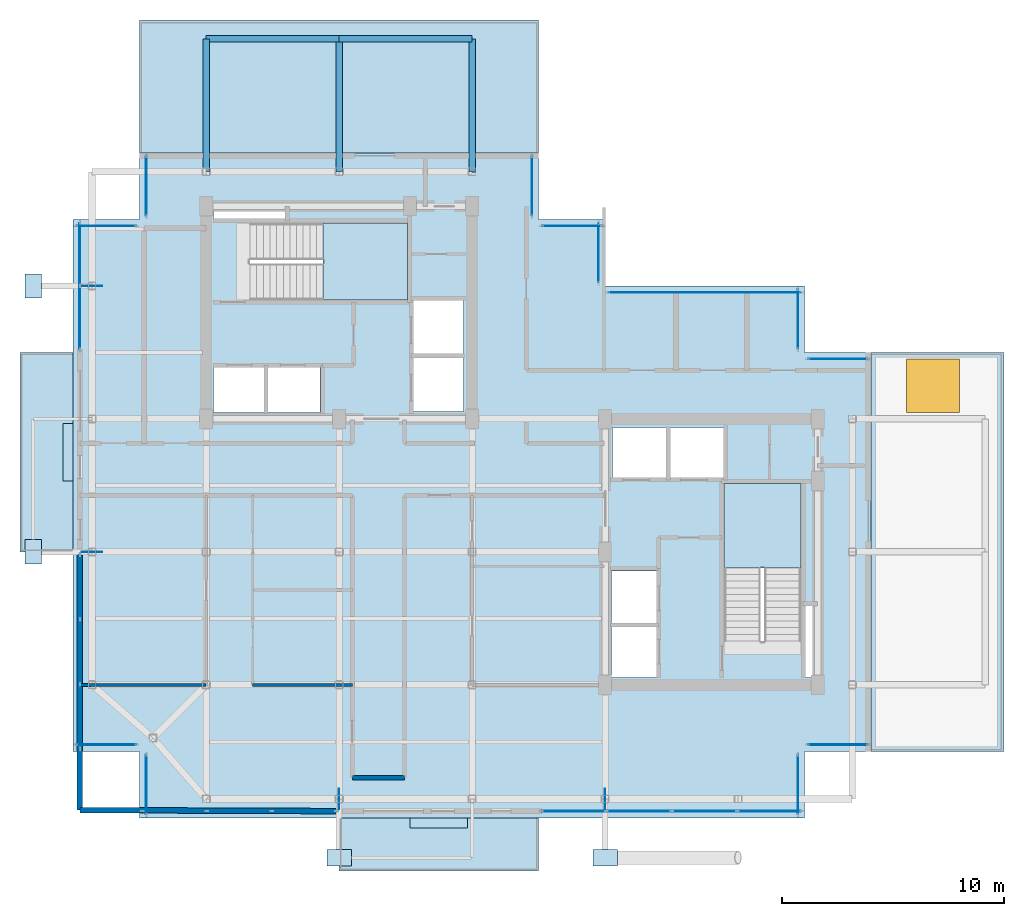
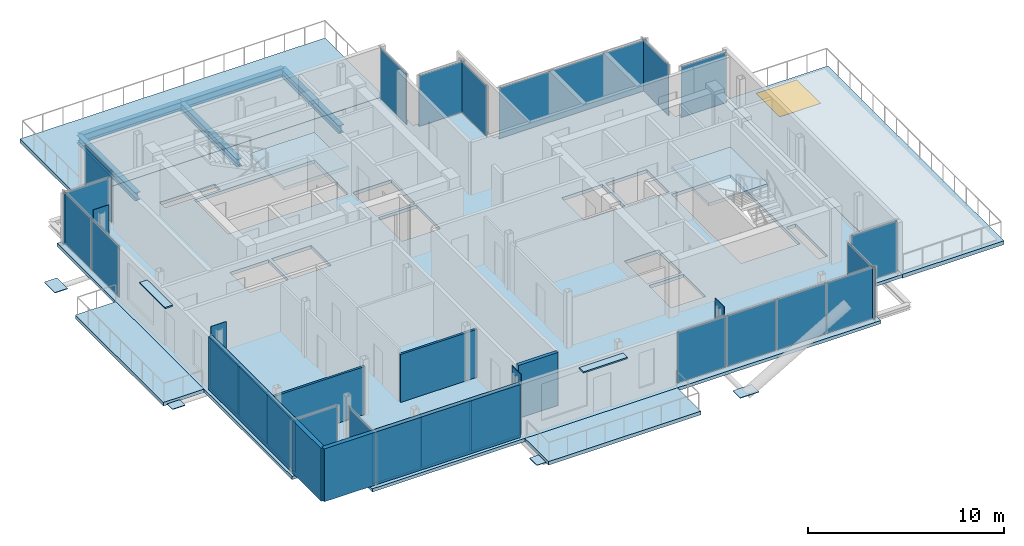
# One storey, part 13 of 19: 34 plates, 7 slabs, 5 beams, 5 walls, 1 window, 1 opening, 18 elements without a shape of their own.
"""IFC4 building model written with IfcOpenShell, lengths in metres."""

from ifc_helpers import new_model, si_unit, direction, frame, frame_2d, origin, origin_2d, place, context, subcontext, project, spatial, polyline, rectangle, i_section, outline, extrude, material, layer, layer_set, material_profile, profile_set, type_object, element, fill, aggregate, save


model = new_model("IFC4")

# Units and contexts
model_context = context("Model", 3, precision=1e-05, world=origin(), true_north=direction((0.0, 1.0)))
body_context = subcontext(model_context, "Body", "Model", "MODEL_VIEW")
ifc_project = project(units=[si_unit("LENGTHUNIT", "METRE"), si_unit("AREAUNIT", "SQUARE_METRE"), si_unit("VOLUMEUNIT", "CUBIC_METRE"), si_unit("PLANEANGLEUNIT", "RADIAN"), si_unit("MASSUNIT", "GRAM", prefix="KILO"), si_unit("THERMODYNAMICTEMPERATUREUNIT", "KELVIN"), si_unit("POWERUNIT", "WATT")], contexts=[model_context])

# Site, building, storey
site_placement = place(None, origin())
site = spatial("IfcSite", under=ifc_project, at=site_placement, CompositionType="ELEMENT")
building_placement = place(site_placement, origin())
building = spatial("IfcBuilding", under=site, at=building_placement, Name="Svarakhadi Broadcast Tower", CompositionType="ELEMENT")
storey_placement = place(building_placement, frame((0.0, 0.0, 239.699951171875)))
storey = spatial("IfcBuildingStorey", under=building, at=storey_placement, Name="L59", CompositionType="ELEMENT", Elevation=239.699951171875)

# Beams
ifc_material_1 = material(Name="Steel S355J2 (IS 2062 E350C)", Category="steel")
ifc_material_profile = material_profile(ifc_material_1, i_section(OverallWidth=0.300048828125, OverallDepth=0.5, WebThickness=0.014404296875, FlangeThickness=0.028076171875, FilletRadius=0.027099609375, at=origin_2d()), Name="WPB 500x300x187")
ifc_profile_set = profile_set([ifc_material_profile], Name="Steel S355J2 (IS 2062 E350C)")
beam_type = type_object("IfcBeamType", Name="Girder_WPB500", PredefinedType="USERDEFINED", material=ifc_profile_set)
for number, where, z_axis, x_axis, name in (
    (1, (6.0, 29.14990234375, -0.489990234375), (0.0, 1.0, 0.0), (-1.0, 0.0, 0.0), "L59 North Setback Terrace Bearer Girder"),
    (2, (12.0, 29.14990234375, -0.489990234375), (0.0, 1.0, 0.0), (-1.0, 0.0, 0.0), "L59 North Setback Terrace Bearer Girder"),
    (3, (18.0, 29.14990234375, -0.489990234375), (0.0, 1.0, 0.0), (-1.0, 0.0, 0.0), "L59 North Setback Terrace Bearer Girder"),
    (4, (6.0, 35.14990234375, -0.489990234375), (1.0, 0.0, 0.0), (0.0, 1.0, 0.0), "L59 North Setback Terrace Rim Girder 1"),
    (5, (12.0, 35.14990234375, -0.489990234375), (1.0, 0.0, 0.0), (0.0, 1.0, 0.0), "L59 North Setback Terrace Rim Girder 2"),
):
    element("IfcBeam", number, at=place(storey_placement, frame(where, z_axis=z_axis, x_axis=x_axis)), inside=storey, type_object=beam_type, Name=name, ObjectType="GIRDER", PredefinedType="USERDEFINED", context=body_context, shape_type="SweptSolid", body=[
        extrude(i_section(OverallWidth=0.300048828125, OverallDepth=0.5, WebThickness=0.014404296875, FlangeThickness=0.028076171875, FilletRadius=0.027099609375, at=origin_2d()), origin(), (0.0, 0.0, 1.0), 6.0),
    ])

# Curtain wall, plate
ifc_material_2 = material(Name="Anodised Bronze Aluminium AA 6063-T6", Category="aluminium")
ifc_layer_1 = layer(ifc_material_2, 0.179931640625)
ifc_layer_set_1 = layer_set([ifc_layer_1], Name="Anodised Bronze Aluminium AA 6063-T6")
curtain_wall_type = type_object("IfcCurtainWallType", Name="CW_Sys_05", PredefinedType="NOTDEFINED", material=ifc_layer_set_1)
curtain_wall_1_placement = place(storey_placement, origin())
curtain_wall_1 = element("IfcCurtainWall", 6, at=curtain_wall_1_placement, inside=storey, type_object=curtain_wall_type, Name="L59 Unitised Facade Curtain Wall 01", PredefinedType="NOTDEFINED")
ifc_material_3 = material(Name="Double Low-E Laminated Acoustic Glass IGU 36 mm", Category="glass")
ifc_layer_2 = layer(ifc_material_3, 0.033935546875)
ifc_layer_set_2 = layer_set([ifc_layer_2], Name="Double Low-E Laminated Acoustic Glass IGU 36 mm")
plate_type_1 = type_object("IfcPlateType", Name="CW_Sys_05_Pnl", PredefinedType="CURTAIN_PANEL", material=ifc_layer_set_2)
plate_1_placement = place(storey_placement, frame((1.5, 3.300048828125, 0.065185546875), z_axis=(0.0, 0.0, 1.0), x_axis=(-1.0, 0.0, 0.0)))
plate_1 = element("IfcPlate", 7, at=plate_1_placement, type_object=plate_type_1, Name="CW-05 panel 1.1", PredefinedType="CURTAIN_PANEL", context=body_context, shape_type="SweptSolid", body=[
    extrude(rectangle(XDim=2.679931640625, YDim=0.033935546875, at=origin_2d()), origin(), (0.0, 0.0, 1.0), 3.169921875),
])
aggregate(curtain_wall_1, [plate_1])

# Curtain wall, plates
curtain_wall_2_placement = place(storey_placement, origin())
curtain_wall_2 = element("IfcCurtainWall", 8, at=curtain_wall_2_placement, inside=storey, type_object=curtain_wall_type, Name="L59 West Curtain Wall 02", PredefinedType="NOTDEFINED")
plate_2_placement = place(storey_placement, frame((0.300048828125, 4.577392578125, 0.065185546875), z_axis=(0.0, 0.0, 1.0), x_axis=(0.0, 1.0, 0.0)))
plate_2 = element("IfcPlate", 9, at=plate_2_placement, type_object=plate_type_1, Name="CW-05 panel 1.1", PredefinedType="CURTAIN_PANEL", context=body_context, shape_type="SweptSolid", body=[
    extrude(rectangle(XDim=2.8349609375, YDim=0.033935546875, at=origin_2d()), origin(), (0.0, 0.0, 1.0), 3.169921875),
])
plate_3_placement = place(storey_placement, frame((0.300048828125, 7.5, 0.065185546875), z_axis=(0.0, 0.0, 1.0), x_axis=(0.0, 1.0, 0.0)))
plate_3 = element("IfcPlate", 10, at=plate_3_placement, type_object=plate_type_1, Name="CW-05 panel 2.1", PredefinedType="CURTAIN_PANEL", context=body_context, shape_type="SweptSolid", body=[
    extrude(rectangle(XDim=2.8701171875, YDim=0.033935546875, at=origin_2d()), origin(), (0.0, 0.0, 1.0), 3.169921875),
])
plate_4_placement = place(storey_placement, frame((0.300048828125, 10.422607421875, 0.065185546875), z_axis=(0.0, 0.0, 1.0), x_axis=(0.0, 1.0, 0.0)))
plate_4 = element("IfcPlate", 11, at=plate_4_placement, type_object=plate_type_1, Name="CW-05 panel 3.1", PredefinedType="CURTAIN_PANEL", context=body_context, shape_type="SweptSolid", body=[
    extrude(rectangle(XDim=2.8349609375, YDim=0.033935546875, at=origin_2d()), origin(), (0.0, 0.0, 1.0), 3.169921875),
])
aggregate(curtain_wall_2, [plate_2, plate_3, plate_4])

curtain_wall_3_placement = place(storey_placement, origin())
curtain_wall_3 = element("IfcCurtainWall", 12, at=curtain_wall_3_placement, inside=storey, type_object=curtain_wall_type, Name="L59 West Curtain Wall 03", PredefinedType="NOTDEFINED")
plate_5_placement = place(storey_placement, frame((0.300048828125, 22.5625, 0.065185546875), z_axis=(0.0, 0.0, 1.0), x_axis=(0.0, 1.0, 0.0)))
plate_5 = element("IfcPlate", 13, at=plate_5_placement, type_object=plate_type_1, Name="CW-05 panel 1.1", PredefinedType="CURTAIN_PANEL", context=body_context, shape_type="SweptSolid", body=[
    extrude(rectangle(XDim=2.804931640625, YDim=0.033935546875, at=origin_2d()), origin(), (0.0, 0.0, 1.0), 3.169921875),
])
plate_6_placement = place(storey_placement, frame((0.300048828125, 25.4375, 0.065185546875), z_axis=(0.0, 0.0, 1.0), x_axis=(0.0, 1.0, 0.0)))
plate_6 = element("IfcPlate", 14, at=plate_6_placement, type_object=plate_type_1, Name="CW-05 panel 2.1", PredefinedType="CURTAIN_PANEL", context=body_context, shape_type="SweptSolid", body=[
    extrude(rectangle(XDim=2.804931640625, YDim=0.033935546875, at=origin_2d()), origin(), (0.0, 0.0, 1.0), 3.169921875),
])
aggregate(curtain_wall_3, [plate_5, plate_6])

# Curtain wall, plate
curtain_wall_4_placement = place(storey_placement, origin())
curtain_wall_4 = element("IfcCurtainWall", 15, at=curtain_wall_4_placement, inside=storey, type_object=curtain_wall_type, Name="L59 Unitised Facade Curtain Wall 04", PredefinedType="NOTDEFINED")
plate_7_placement = place(storey_placement, frame((1.5, 26.699951171875, 0.065185546875), z_axis=(0.0, 0.0, 1.0), x_axis=(1.0, 0.0, 0.0)))
plate_7 = element("IfcPlate", 16, at=plate_7_placement, type_object=plate_type_1, Name="CW-05 panel 1.1", PredefinedType="CURTAIN_PANEL", context=body_context, shape_type="SweptSolid", body=[
    extrude(rectangle(XDim=2.679931640625, YDim=0.033935546875, at=origin_2d()), origin(), (0.0, 0.0, 1.0), 3.169921875),
])
aggregate(curtain_wall_4, [plate_7])

curtain_wall_5_placement = place(storey_placement, origin())
curtain_wall_5 = element("IfcCurtainWall", 17, at=curtain_wall_5_placement, inside=storey, type_object=curtain_wall_type, Name="L59 Unitised Facade Curtain Wall 05", PredefinedType="NOTDEFINED")
plate_8_placement = place(storey_placement, frame((3.300048828125, 28.5, 0.065185546875), z_axis=(0.0, 0.0, 1.0), x_axis=(0.0, 1.0, 0.0)))
plate_8 = element("IfcPlate", 18, at=plate_8_placement, type_object=plate_type_1, Name="CW-05 panel 1.1", PredefinedType="CURTAIN_PANEL", context=body_context, shape_type="SweptSolid", body=[
    extrude(rectangle(XDim=2.679931640625, YDim=0.033935546875, at=origin_2d()), origin(), (0.0, 0.0, 1.0), 3.169921875),
])
aggregate(curtain_wall_5, [plate_8])

curtain_wall_6_placement = place(storey_placement, origin())
curtain_wall_6 = element("IfcCurtainWall", 19, at=curtain_wall_6_placement, inside=storey, type_object=curtain_wall_type, Name="L59 Unitised Facade Curtain Wall 06", PredefinedType="NOTDEFINED")
plate_9_placement = place(storey_placement, frame((20.699951171875, 28.5, 0.065185546875), z_axis=(0.0, 0.0, 1.0), x_axis=(0.0, -1.0, 0.0)))
plate_9 = element("IfcPlate", 20, at=plate_9_placement, type_object=plate_type_1, Name="CW-05 panel 1.1", PredefinedType="CURTAIN_PANEL", context=body_context, shape_type="SweptSolid", body=[
    extrude(rectangle(XDim=2.679931640625, YDim=0.033935546875, at=origin_2d()), origin(), (0.0, 0.0, 1.0), 3.169921875),
])
aggregate(curtain_wall_6, [plate_9])

curtain_wall_7_placement = place(storey_placement, origin())
curtain_wall_7 = element("IfcCurtainWall", 21, at=curtain_wall_7_placement, inside=storey, type_object=curtain_wall_type, Name="L59 Unitised Facade Curtain Wall 07", PredefinedType="NOTDEFINED")
plate_10_placement = place(storey_placement, frame((22.5, 26.699951171875, 0.065185546875), z_axis=(0.0, 0.0, 1.0), x_axis=(1.0, 0.0, 0.0)))
plate_10 = element("IfcPlate", 22, at=plate_10_placement, type_object=plate_type_1, Name="CW-05 panel 1.1", PredefinedType="CURTAIN_PANEL", context=body_context, shape_type="SweptSolid", body=[
    extrude(rectangle(XDim=2.679931640625, YDim=0.033935546875, at=origin_2d()), origin(), (0.0, 0.0, 1.0), 3.169921875),
])
aggregate(curtain_wall_7, [plate_10])

curtain_wall_8_placement = place(storey_placement, origin())
curtain_wall_8 = element("IfcCurtainWall", 23, at=curtain_wall_8_placement, inside=storey, type_object=curtain_wall_type, Name="L59 Unitised Facade Curtain Wall 08", PredefinedType="NOTDEFINED")
plate_11_placement = place(storey_placement, frame((23.699951171875, 25.5, 0.065185546875), z_axis=(0.0, 0.0, 1.0), x_axis=(0.0, -1.0, 0.0)))
plate_11 = element("IfcPlate", 24, at=plate_11_placement, type_object=plate_type_1, Name="CW-05 panel 1.1", PredefinedType="CURTAIN_PANEL", context=body_context, shape_type="SweptSolid", body=[
    extrude(rectangle(XDim=2.679931640625, YDim=0.033935546875, at=origin_2d()), origin(), (0.0, 0.0, 1.0), 3.169921875),
])
aggregate(curtain_wall_8, [plate_11])

curtain_wall_9_placement = place(storey_placement, origin())
curtain_wall_9 = element("IfcCurtainWall", 25, at=curtain_wall_9_placement, inside=storey, type_object=curtain_wall_type, Name="L59 Unitised Facade Curtain Wall 09", PredefinedType="NOTDEFINED")
plate_12_placement = place(storey_placement, frame((28.5, 23.699951171875, 0.065185546875), z_axis=(0.0, 0.0, 1.0), x_axis=(1.0, 0.0, 0.0)))
plate_12 = element("IfcPlate", 26, at=plate_12_placement, type_object=plate_type_1, Name="CW-05 panel 1.1", PredefinedType="CURTAIN_PANEL", context=body_context, shape_type="SweptSolid", body=[
    extrude(rectangle(XDim=8.679931640625, YDim=0.033935546875, at=origin_2d()), origin(), (0.0, 0.0, 1.0), 3.169921875),
])
aggregate(curtain_wall_9, [plate_12])

curtain_wall_10_placement = place(storey_placement, origin())
curtain_wall_10 = element("IfcCurtainWall", 27, at=curtain_wall_10_placement, inside=storey, type_object=curtain_wall_type, Name="L59 Unitised Facade Curtain Wall 10", PredefinedType="NOTDEFINED")
plate_13_placement = place(storey_placement, frame((32.699951171875, 22.5, 0.065185546875), z_axis=(0.0, 0.0, 1.0), x_axis=(0.0, -1.0, 0.0)))
plate_13 = element("IfcPlate", 28, at=plate_13_placement, type_object=plate_type_1, Name="CW-05 panel 1.1", PredefinedType="CURTAIN_PANEL", context=body_context, shape_type="SweptSolid", body=[
    extrude(rectangle(XDim=2.679931640625, YDim=0.033935546875, at=origin_2d()), origin(), (0.0, 0.0, 1.0), 3.169921875),
])
aggregate(curtain_wall_10, [plate_13])

curtain_wall_11_placement = place(storey_placement, origin())
curtain_wall_11 = element("IfcCurtainWall", 29, at=curtain_wall_11_placement, inside=storey, type_object=curtain_wall_type, Name="L59 Unitised Facade Curtain Wall 11", PredefinedType="NOTDEFINED")
plate_14_placement = place(storey_placement, frame((34.5, 20.699951171875, 0.065185546875), z_axis=(0.0, 0.0, 1.0), x_axis=(1.0, 0.0, 0.0)))
plate_14 = element("IfcPlate", 30, at=plate_14_placement, type_object=plate_type_1, Name="CW-05 panel 1.1", PredefinedType="CURTAIN_PANEL", context=body_context, shape_type="SweptSolid", body=[
    extrude(rectangle(XDim=2.679931640625, YDim=0.033935546875, at=origin_2d()), origin(), (0.0, 0.0, 1.0), 3.169921875),
])
aggregate(curtain_wall_11, [plate_14])

curtain_wall_12_placement = place(storey_placement, origin())
curtain_wall_12 = element("IfcCurtainWall", 31, at=curtain_wall_12_placement, inside=storey, type_object=curtain_wall_type, Name="L59 Unitised Facade Curtain Wall 12", PredefinedType="NOTDEFINED")
plate_15_placement = place(storey_placement, frame((34.5, 3.300048828125, 0.065185546875), z_axis=(0.0, 0.0, 1.0), x_axis=(-1.0, 0.0, 0.0)))
plate_15 = element("IfcPlate", 32, at=plate_15_placement, type_object=plate_type_1, Name="CW-05 panel 1.1", PredefinedType="CURTAIN_PANEL", context=body_context, shape_type="SweptSolid", body=[
    extrude(rectangle(XDim=2.679931640625, YDim=0.033935546875, at=origin_2d()), origin(), (0.0, 0.0, 1.0), 3.169921875),
])
aggregate(curtain_wall_12, [plate_15])

curtain_wall_13_placement = place(storey_placement, origin())
curtain_wall_13 = element("IfcCurtainWall", 33, at=curtain_wall_13_placement, inside=storey, type_object=curtain_wall_type, Name="L59 Unitised Facade Curtain Wall 13", PredefinedType="NOTDEFINED")
plate_16_placement = place(storey_placement, frame((32.699951171875, 1.5, 0.065185546875), z_axis=(0.0, 0.0, 1.0), x_axis=(0.0, -1.0, 0.0)))
plate_16 = element("IfcPlate", 34, at=plate_16_placement, type_object=plate_type_1, Name="CW-05 panel 1.1", PredefinedType="CURTAIN_PANEL", context=body_context, shape_type="SweptSolid", body=[
    extrude(rectangle(XDim=2.679931640625, YDim=0.033935546875, at=origin_2d()), origin(), (0.0, 0.0, 1.0), 3.169921875),
])
aggregate(curtain_wall_13, [plate_16])

# Curtain wall, plates
curtain_wall_14_placement = place(storey_placement, origin())
curtain_wall_14 = element("IfcCurtainWall", 35, at=curtain_wall_14_placement, inside=storey, type_object=curtain_wall_type, Name="L59 South Curtain Wall 14", PredefinedType="NOTDEFINED")
plate_17_placement = place(storey_placement, frame((31.4150390625, 0.300048828125, 0.065185546875), z_axis=(0.0, 0.0, 1.0), x_axis=(-1.0, 0.0, 0.0)))
plate_17 = element("IfcPlate", 36, at=plate_17_placement, type_object=plate_type_1, Name="CW-05 panel 1.1", PredefinedType="CURTAIN_PANEL", context=body_context, shape_type="SweptSolid", body=[
    extrude(rectangle(XDim=2.85009765625, YDim=0.033935546875, at=origin_2d()), origin(), (0.0, 0.0, 1.0), 3.169921875),
])
plate_18_placement = place(storey_placement, frame((28.4775390625, 0.300048828125, 0.065185546875), z_axis=(0.0, 0.0, 1.0), x_axis=(-1.0, 0.0, 0.0)))
plate_18 = element("IfcPlate", 37, at=plate_18_placement, type_object=plate_type_1, Name="CW-05 panel 2.1", PredefinedType="CURTAIN_PANEL", context=body_context, shape_type="SweptSolid", body=[
    extrude(rectangle(XDim=2.885009765625, YDim=0.033935546875, at=origin_2d()), origin(), (0.0, 0.0, 1.0), 3.169921875),
])
plate_19_placement = place(storey_placement, frame((25.5224609375, 0.300048828125, 0.065185546875), z_axis=(0.0, 0.0, 1.0), x_axis=(-1.0, 0.0, 0.0)))
plate_19 = element("IfcPlate", 38, at=plate_19_placement, type_object=plate_type_1, Name="CW-05 panel 3.1", PredefinedType="CURTAIN_PANEL", context=body_context, shape_type="SweptSolid", body=[
    extrude(rectangle(XDim=2.885009765625, YDim=0.033935546875, at=origin_2d()), origin(), (0.0, 0.0, 1.0), 3.169921875),
])
plate_20_placement = place(storey_placement, frame((22.5849609375, 0.300048828125, 0.065185546875), z_axis=(0.0, 0.0, 1.0), x_axis=(-1.0, 0.0, 0.0)))
plate_20 = element("IfcPlate", 39, at=plate_20_placement, type_object=plate_type_1, Name="CW-05 panel 4.1", PredefinedType="CURTAIN_PANEL", context=body_context, shape_type="SweptSolid", body=[
    extrude(rectangle(XDim=2.85009765625, YDim=0.033935546875, at=origin_2d()), origin(), (0.0, 0.0, 1.0), 3.169921875),
])
aggregate(curtain_wall_14, [plate_17, plate_18, plate_19, plate_20])

curtain_wall_15_placement = place(storey_placement, origin())
curtain_wall_15 = element("IfcCurtainWall", 40, at=curtain_wall_15_placement, inside=storey, type_object=curtain_wall_type, Name="L59 South Curtain Wall 15", PredefinedType="NOTDEFINED")
plate_21_placement = place(storey_placement, frame((10.422607421875, 0.300048828125, 0.065185546875), z_axis=(0.0, 0.0, 1.0), x_axis=(-1.0, 0.0, 0.0)))
plate_21 = element("IfcPlate", 41, at=plate_21_placement, type_object=plate_type_1, Name="CW-05 panel 1.1", PredefinedType="CURTAIN_PANEL", context=body_context, shape_type="SweptSolid", body=[
    extrude(rectangle(XDim=2.8349609375, YDim=0.033935546875, at=origin_2d()), origin(), (0.0, 0.0, 1.0), 3.169921875),
])
plate_22_placement = place(storey_placement, frame((7.5, 0.300048828125, 0.065185546875), z_axis=(0.0, 0.0, 1.0), x_axis=(-1.0, 0.0, 0.0)))
plate_22 = element("IfcPlate", 42, at=plate_22_placement, type_object=plate_type_1, Name="CW-05 panel 2.1", PredefinedType="CURTAIN_PANEL", context=body_context, shape_type="SweptSolid", body=[
    extrude(rectangle(XDim=2.8701171875, YDim=0.033935546875, at=origin_2d()), origin(), (0.0, 0.0, 1.0), 3.169921875),
])
plate_23_placement = place(storey_placement, frame((4.577392578125, 0.300048828125, 0.065185546875), z_axis=(0.0, 0.0, 1.0), x_axis=(-1.0, 0.0, 0.0)))
plate_23 = element("IfcPlate", 43, at=plate_23_placement, type_object=plate_type_1, Name="CW-05 panel 3.1", PredefinedType="CURTAIN_PANEL", context=body_context, shape_type="SweptSolid", body=[
    extrude(rectangle(XDim=2.8349609375, YDim=0.033935546875, at=origin_2d()), origin(), (0.0, 0.0, 1.0), 3.169921875),
])
aggregate(curtain_wall_15, [plate_21, plate_22, plate_23])

# Curtain wall, plate
curtain_wall_16_placement = place(storey_placement, origin())
curtain_wall_16 = element("IfcCurtainWall", 44, at=curtain_wall_16_placement, inside=storey, type_object=curtain_wall_type, Name="L59 Unitised Facade Curtain Wall 16", PredefinedType="NOTDEFINED")
plate_24_placement = place(storey_placement, frame((3.300048828125, 1.5, 0.065185546875), z_axis=(0.0, 0.0, 1.0), x_axis=(0.0, 1.0, 0.0)))
plate_24 = element("IfcPlate", 45, at=plate_24_placement, type_object=plate_type_1, Name="CW-05 panel 1.1", PredefinedType="CURTAIN_PANEL", context=body_context, shape_type="SweptSolid", body=[
    extrude(rectangle(XDim=2.679931640625, YDim=0.033935546875, at=origin_2d()), origin(), (0.0, 0.0, 1.0), 3.169921875),
])
aggregate(curtain_wall_16, [plate_24])

# Plates
ifc_material_4 = material(Name="Steel S460ML (IS 2062 E450BR)", Category="steel")
ifc_layer_3 = layer(ifc_material_4, 0.033935546875)
ifc_layer_set_3 = layer_set([ifc_layer_3], Name="Steel S460ML (IS 2062 E450BR)")
plate_type_2 = type_object("IfcPlateType", Name="Node_Gusset_N06", PredefinedType="SHEET", material=ifc_layer_set_3)
for number, where, z_axis, x_axis, name in (
    (46, (12.0, -1.800048828125, -0.19970703125), (0.0, 0.0, 1.0), (1.0, 0.0, 0.0), "L59 Exoskeleton Gusset Node Plate S01"),
    (47, (24.0, -1.800048828125, -0.19970703125), (0.0, 0.0, 1.0), (1.0, 0.0, 0.0), "L59 Exoskeleton Gusset Node Plate S02"),
    (48, (-1.800048828125, 12.0, -0.19970703125), (0.0, 0.0, 1.0), (0.0, 1.0, 0.0), "L59 Exoskeleton Gusset Node Plate W03"),
    (49, (-1.800048828125, 24.0, -0.19970703125), (0.0, 0.0, 1.0), (0.0, 1.0, 0.0), "L59 Exoskeleton Gusset Node Plate W04"),
):
    element("IfcPlate", number, at=place(storey_placement, frame(where, z_axis=z_axis, x_axis=x_axis)), inside=storey, type_object=plate_type_2, Name=name, PredefinedType="SHEET", context=body_context, shape_type="SweptSolid", body=[
        extrude(rectangle(XDim=1.10009765625, YDim=0.75, at=origin_2d()), origin(), (0.0, 0.0, 1.0), 0.033935546875),
    ])
ifc_layer_4 = layer(ifc_material_4, 0.02587890625)
ifc_layer_set_4 = layer_set([ifc_layer_4], Name="Steel S460ML (IS 2062 E450BR)")
plate_type_3 = type_object("IfcPlateType", Name="Node_Gusset_N07", PredefinedType="SHEET", material=ifc_layer_set_4)
for number, where, z_axis, x_axis, name in (
    (50, (12.0, 0.85009765625, -0.53662109375), (0.0, 0.0, 1.0), (0.0, 1.0, 0.0), "L59 Brace End Connection Gusset Plate N-07-E0485"),
    (51, (24.0, 0.85009765625, -0.53662109375), (0.0, 0.0, 1.0), (0.0, 1.0, 0.0), "L59 Brace End Connection Gusset Plate N-07-E0486"),
    (52, (0.85009765625, 12.0, -0.53662109375), (0.0, 0.0, 1.0), (1.0, 0.0, 0.0), "L59 Brace End Connection Gusset Plate N-07-E0487"),
    (53, (0.85009765625, 24.0, -0.53662109375), (0.0, 0.0, 1.0), (1.0, 0.0, 0.0), "L59 Brace End Connection Gusset Plate N-07-E0488"),
):
    element("IfcPlate", number, at=place(storey_placement, frame(where, z_axis=z_axis, x_axis=x_axis)), inside=storey, type_object=plate_type_3, Name=name, PredefinedType="SHEET", context=body_context, shape_type="SweptSolid", body=[
        extrude(rectangle(XDim=0.919921875, YDim=0.02587890625, at=origin_2d()), origin(), (0.0, 0.0, 1.0), 4.300048828125),
    ])

# Slab
ifc_material_5 = material(Name="Concrete C40/50 (IS 456 M50)", Category="concrete")
ifc_layer_5 = layer(ifc_material_5, 0.199951171875)
ifc_layer_set_5 = layer_set([ifc_layer_5], Name="Concrete C40/50 (IS 456 M50)")
slab_type_1 = type_object("IfcSlabType", Name="Slab_Floor_200", PredefinedType="FLOOR", material=ifc_layer_set_5)
slab_1_placement = place(storey_placement, frame((0.0, 0.0, -0.199951171875)))
element("IfcSlab", 54, at=slab_1_placement, inside=storey, type_object=slab_type_1, Name="L59 Structural Floor Slab", PredefinedType="FLOOR", context=body_context, shape_type="SweptSolid", body=[
    extrude(outline(polyline([(3.0, 0.0), (33.0, 0.0), (33.0, 3.0), (36.0, 3.0), (36.0, 21.0), (33.0, 21.0), (33.0, 24.0), (24.0, 24.0), (24.0, 27.0), (21.0, 27.0), (21.0, 30.0), (3.0, 30.0), (3.0, 27.0), (0.0, 27.0), (0.0, 3.0), (3.0, 3.0), (3.0, 0.0)]), holes=[polyline([(7.97998046875, 23.360107421875), (15.080078125, 23.360107421875), (15.080078125, 26.840087890625), (7.97998046875, 26.840087890625), (7.97998046875, 23.360107421875)]), polyline([(32.840087890625, 7.97998046875), (32.840087890625, 15.080078125), (29.360107421875, 15.080078125), (29.360107421875, 7.97998046875), (32.840087890625, 7.97998046875)]), polyline([(6.340087890625, 18.2900390625), (8.610107421875, 18.2900390625), (8.610107421875, 20.330078125), (6.340087890625, 20.330078125), (6.340087890625, 18.2900390625)]), polyline([(8.7900390625, 18.2900390625), (11.1298828125, 18.2900390625), (11.1298828125, 20.330078125), (8.7900390625, 20.330078125), (8.7900390625, 18.2900390625)]), polyline([(24.2900390625, 6.340087890625), (26.330078125, 6.340087890625), (26.330078125, 8.610107421875), (24.2900390625, 8.610107421875), (24.2900390625, 6.340087890625)]), polyline([(24.2900390625, 8.7900390625), (26.330078125, 8.7900390625), (26.330078125, 11.1298828125), (24.2900390625, 11.1298828125), (24.2900390625, 8.7900390625)]), polyline([(6.340087890625, 26.989990234375), (9.610107421875, 26.989990234375), (9.610107421875, 27.530029296875), (6.340087890625, 27.530029296875), (6.340087890625, 26.989990234375)]), polyline([(32.989990234375, 6.340087890625), (33.530029296875, 6.340087890625), (33.530029296875, 9.610107421875), (32.989990234375, 9.610107421875), (32.989990234375, 6.340087890625)]), polyline([(15.340087890625, 18.340087890625), (17.610107421875, 18.340087890625), (17.610107421875, 20.760009765625), (15.340087890625, 20.760009765625), (15.340087890625, 18.340087890625)]), polyline([(15.340087890625, 20.93994140625), (17.610107421875, 20.93994140625), (17.610107421875, 23.360107421875), (15.340087890625, 23.360107421875), (15.340087890625, 20.93994140625)]), polyline([(24.340087890625, 15.340087890625), (26.760009765625, 15.340087890625), (26.760009765625, 17.610107421875), (24.340087890625, 17.610107421875), (24.340087890625, 15.340087890625)]), polyline([(26.93994140625, 15.340087890625), (29.360107421875, 15.340087890625), (29.360107421875, 17.610107421875), (26.93994140625, 17.610107421875), (26.93994140625, 15.340087890625)])]), origin(), (0.0, 0.0, 1.0), 0.199951171875),
])

# Slab, opening, window
ifc_layer_6 = layer(ifc_material_5, 0.239990234375)
ifc_layer_set_6 = layer_set([ifc_layer_6], Name="Concrete C40/50 (IS 456 M50)")
slab_type_2 = type_object("IfcSlabType", Name="Slab_SetbackTerr", PredefinedType="ROOF", material=ifc_layer_set_6)
slab_2_placement = place(storey_placement, frame((0.0, 0.0, -0.239990234375)))
slab_2 = element("IfcSlab", 55, at=slab_2_placement, inside=storey, type_object=slab_type_2, Name="L59 East Wing Setback Sky Garden Terrace Slab", PredefinedType="ROOF", context=body_context, shape_type="SweptSolid", body=[
    extrude(outline(polyline([(36.0, 3.0), (42.0, 3.0), (42.0, 21.0), (36.0, 21.0), (36.0, 3.0)])), origin(), (0.0, 0.0, 1.0), 0.239990234375),
])
opening_placement = place(slab_2_placement, frame((38.800048828125, 19.5, -0.010009765625)))
opening = element("IfcOpeningElement", 56, at=opening_placement, cuts=slab_2, Name="Opening SK-02", PredefinedType="OPENING", context=body_context, shape_type="SweptSolid", body=[
    extrude(rectangle(XDim=2.39990234375, YDim=2.39990234375, at=origin_2d()), origin(), (0.0, 0.0, 1.0), 0.260009765625),
])
window_type = type_object("IfcWindowType", Name="Sky_Terr_SK02", PartitioningType="SINGLE_PANEL", PredefinedType="SKYLIGHT", material=ifc_material_3)
window_placement = place(slab_2_placement, frame((38.800048828125, 19.5, 0.18994140625)))
window = element("IfcWindow", 57, at=window_placement, inside=storey, type_object=window_type, Name="L59 Setback Sky Garden Skylight SK-02", OverallHeight=2.39990234375, OverallWidth=2.39990234375, PartitioningType="SINGLE_PANEL", PredefinedType="SKYLIGHT", context=body_context, shape_type="SweptSolid", body=[
    extrude(rectangle(XDim=2.39990234375, YDim=2.39990234375, at=origin_2d()), origin(), (0.0, 0.0, 1.0), 0.050048828125),
])
fill(opening, window)

# Slab
slab_3_placement = place(storey_placement, frame((0.0, 0.0, -0.239990234375)))
element("IfcSlab", 58, at=slab_3_placement, inside=storey, type_object=slab_type_2, Name="L59 North Wing Setback Sky Garden Terrace Slab", PredefinedType="ROOF", context=body_context, shape_type="SweptSolid", body=[
    extrude(outline(polyline([(3.0, 30.0), (21.0, 30.0), (21.0, 36.0), (3.0, 36.0), (3.0, 30.0)])), origin(), (0.0, 0.0, 1.0), 0.239990234375),
])

# Stair, slab
stair_type = type_object("IfcStairType", Name="Stair_Exit_Core", PredefinedType="HALF_TURN_STAIR", material=ifc_material_5)
stair_1_placement = place(storey_placement, origin())
stair_1 = element("IfcStair", 59, at=stair_1_placement, inside=storey, type_object=stair_type, Name="L59 West Core Protected Exit Stair ST-01", PredefinedType="HALF_TURN_STAIR")
ifc_layer_7 = layer(ifc_material_5, 0.199951171875)
ifc_layer_set_7 = layer_set([ifc_layer_7], Name="Concrete C40/50 (IS 456 M50)")
slab_type_3 = type_object("IfcSlabType", Name="Slab_Stair_Land", PredefinedType="LANDING", material=ifc_layer_set_7)
slab_4_placement = place(storey_placement, frame((0.0, 0.0, 1.550048828125)))
slab_4 = element("IfcSlab", 60, at=slab_4_placement, type_object=slab_type_3, Name="ST-01 landing 1", PredefinedType="LANDING", context=body_context, shape_type="SweptSolid", body=[
    extrude(outline(polyline([(11.280029296875, 23.360107421875), (15.080078125, 23.360107421875), (15.080078125, 26.840087890625), (11.280029296875, 26.840087890625), (11.280029296875, 23.360107421875)])), origin(), (0.0, 0.0, 1.0), 0.199951171875),
])
aggregate(stair_1, [slab_4])

stair_2_placement = place(storey_placement, origin())
stair_2 = element("IfcStair", 61, at=stair_2_placement, inside=storey, type_object=stair_type, Name="L59 East Core Protected Exit Stair ST-02", PredefinedType="HALF_TURN_STAIR")
slab_5_placement = place(storey_placement, frame((0.0, 0.0, 1.550048828125)))
slab_5 = element("IfcSlab", 62, at=slab_5_placement, type_object=slab_type_3, Name="ST-02 landing 1", PredefinedType="LANDING", context=body_context, shape_type="SweptSolid", body=[
    extrude(outline(polyline([(32.840087890625, 11.280029296875), (32.840087890625, 15.080078125), (29.360107421875, 15.080078125), (29.360107421875, 11.280029296875), (32.840087890625, 11.280029296875)])), origin(), (0.0, 0.0, 1.0), 0.199951171875),
])
aggregate(stair_2, [slab_5])

# Slabs
ifc_layer_8 = layer(ifc_material_5, 0.22509765625)
ifc_layer_set_8 = layer_set([ifc_layer_8], Name="Concrete C40/50 (IS 456 M50)")
slab_type_4 = type_object("IfcSlabType", Name="Slab_TreeBalcony", PredefinedType="FLOOR", material=ifc_layer_set_8)
slab_6_placement = place(storey_placement, frame((0.0, 0.0, -0.224853515625)))
element("IfcSlab", 63, at=slab_6_placement, inside=storey, type_object=slab_type_4, Name="L59 Planted Tree Balcony Slab BAL-S", PredefinedType="FLOOR", context=body_context, shape_type="SweptSolid", body=[
    extrude(outline(polyline([(12.0, -2.39990234375), (21.0, -2.39990234375), (21.0, 0.0), (12.0, 0.0), (12.0, -2.39990234375)])), origin(), (0.0, 0.0, 1.0), 0.224853515625),
])
slab_7_placement = place(storey_placement, frame((0.0, 0.0, -0.224853515625)))
element("IfcSlab", 64, at=slab_7_placement, inside=storey, type_object=slab_type_4, Name="L59 Planted Tree Balcony Slab BAL-W", PredefinedType="FLOOR", context=body_context, shape_type="SweptSolid", body=[
    extrude(outline(polyline([(-2.39990234375, 12.0), (0.0, 12.0), (0.0, 21.0), (-2.39990234375, 21.0), (-2.39990234375, 12.0)])), origin(), (0.0, 0.0, 1.0), 0.224853515625),
])

# Plates
ifc_layer_9 = layer(ifc_material_2, 0.080078125)
ifc_layer_set_9 = layer_set([ifc_layer_9], Name="Anodised Bronze Aluminium AA 6063-T6")
plate_type_4 = type_object("IfcPlateType", Name="Sunshade_Fin_SS01", PredefinedType="USERDEFINED", material=ifc_layer_set_9)
for number, where, z_axis, x_axis, name in (
    (65, (16.5, -0.22509765625, 3.219970703125), (0.0, 0.0, 1.0), (1.0, 0.0, 0.0), "L59 South Bronze Brise-Soleil Sunshade SS-01"),
    (66, (-0.22509765625, 16.5, 3.219970703125), (0.0, 0.0, 1.0), (0.0, 1.0, 0.0), "L59 West Bronze Brise-Soleil Sunshade SS-01"),
):
    element("IfcPlate", number, at=place(storey_placement, frame(where, z_axis=z_axis, x_axis=x_axis)), inside=storey, type_object=plate_type_4, Name=name, ObjectType="SUNSHADE", PredefinedType="USERDEFINED", context=body_context, shape_type="SweptSolid", body=[
        extrude(rectangle(XDim=2.60009765625, YDim=0.449951171875, at=origin_2d()), origin(), (0.0, 0.0, 1.0), 0.080078125),
    ])

# Walls
ifc_material_6 = material(Name="Double-Stud Acoustic Studio Partition STC-62", Category="gypsum")
ifc_layer_10 = layer(ifc_material_6, 0.199951171875)
ifc_layer_set_10 = layer_set([ifc_layer_10], Name="Double-Stud Acoustic Studio Partition STC-62")
wall_type_1 = type_object("IfcWallType", Name="Wall_Acoust_200", PredefinedType="PARTITIONING", material=ifc_layer_set_10)
wall_1_placement = place(storey_placement, frame((14.949951171875, 1.800048828125, 0.0), z_axis=(0.0, 0.0, 1.0), x_axis=(-1.0, 0.0, 0.0)))
element("IfcWall", 67, at=wall_1_placement, inside=storey, type_object=wall_type_1, Name="L59 Upper Tower Concourse Wall", PredefinedType="PARTITIONING", context=body_context, shape_type="SweptSolid", body=[
    extrude(rectangle(XDim=2.349853515625, YDim=0.199951171875, at=frame_2d((1.1748046875, 0.0))), origin(), (0.0, 0.0, 1.0), 3.300048828125),
])
ifc_layer_11 = layer(ifc_material_6, 0.25)
ifc_layer_set_11 = layer_set([ifc_layer_11], Name="Double-Stud Acoustic Studio Partition STC-62")
wall_type_2 = type_object("IfcWallType", Name="Wall_Acoust_250", PredefinedType="PARTITIONING", material=ifc_layer_set_11)
wall_2_placement = place(storey_placement, frame((0.300048828125, 0.35009765625, 0.0), z_axis=(0.0, 0.0, 1.0), x_axis=(0.999991685722, -0.004077804208, 0.0)))
element("IfcWall", 68, at=wall_2_placement, inside=storey, type_object=wall_type_2, Name="L59 Apartment A Wall", PredefinedType="PARTITIONING", context=body_context, shape_type="SweptSolid", body=[
    extrude(rectangle(XDim=11.554931640625, YDim=0.25, at=frame_2d((5.77734375, 0.0))), origin(), (0.0, 0.0, 1.0), 3.300048828125),
])
wall_3_placement = place(storey_placement, frame((0.300048828125, 0.35009765625, 0.0), z_axis=(0.0, 0.0, 1.0), x_axis=(0.0, 1.0, 0.0)))
element("IfcWall", 69, at=wall_3_placement, inside=storey, type_object=wall_type_2, Name="L59 Apartment A Wall", PredefinedType="PARTITIONING", context=body_context, shape_type="SweptSolid", body=[
    extrude(rectangle(XDim=11.5048828125, YDim=0.25, at=frame_2d((5.75244140625, 0.0))), origin(), (0.0, 0.0, 1.0), 3.300048828125),
])
ifc_material_7 = material(Name="Fire-Rated Moisture-Resistant Gypsum Board Partition", Category="gypsum")
ifc_layer_12 = layer(ifc_material_7, 0.125)
ifc_layer_set_12 = layer_set([ifc_layer_12], Name="Fire-Rated Moisture-Resistant Gypsum Board Partition")
wall_type_3 = type_object("IfcWallType", Name="Wall_Part_125", PredefinedType="PARTITIONING", material=ifc_layer_set_12)
wall_4_placement = place(storey_placement, frame((8.10009765625, 6.0, 0.0), z_axis=(0.0, 0.0, 1.0), x_axis=(1.0, 0.0, 0.0)))
element("IfcWall", 70, at=wall_4_placement, inside=storey, type_object=wall_type_3, Name="L59 Apartment A Kitchen Wall", PredefinedType="PARTITIONING", context=body_context, shape_type="SweptSolid", body=[
    extrude(rectangle(XDim=4.5, YDim=0.125, at=frame_2d((2.25, 0.0))), origin(), (0.0, 0.0, 1.0), 2.991943359375),
])
wall_5_placement = place(storey_placement, frame((0.300048828125, 6.0, 0.0), z_axis=(0.0, 0.0, 1.0), x_axis=(1.0, 0.0, 0.0)))
element("IfcWall", 71, at=wall_5_placement, inside=storey, type_object=wall_type_3, Name="L59 Apartment A Primary Bedroom Wall", PredefinedType="PARTITIONING", context=body_context, shape_type="SweptSolid", body=[
    extrude(rectangle(XDim=5.699951171875, YDim=0.125, at=frame_2d((2.85009765625, 0.0))), origin(), (0.0, 0.0, 1.0), 2.991943359375),
])

save(model, "model.ifc")
